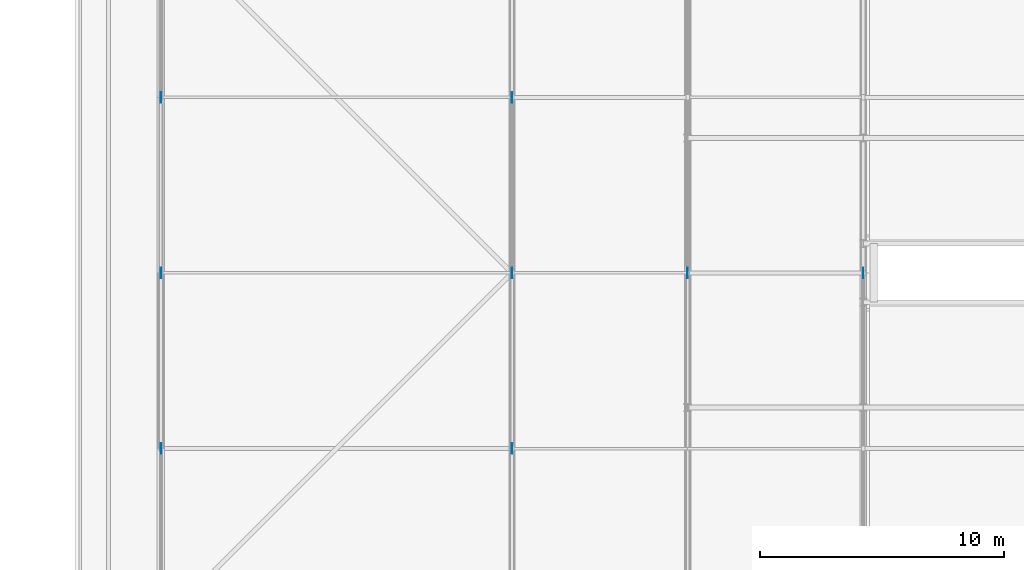
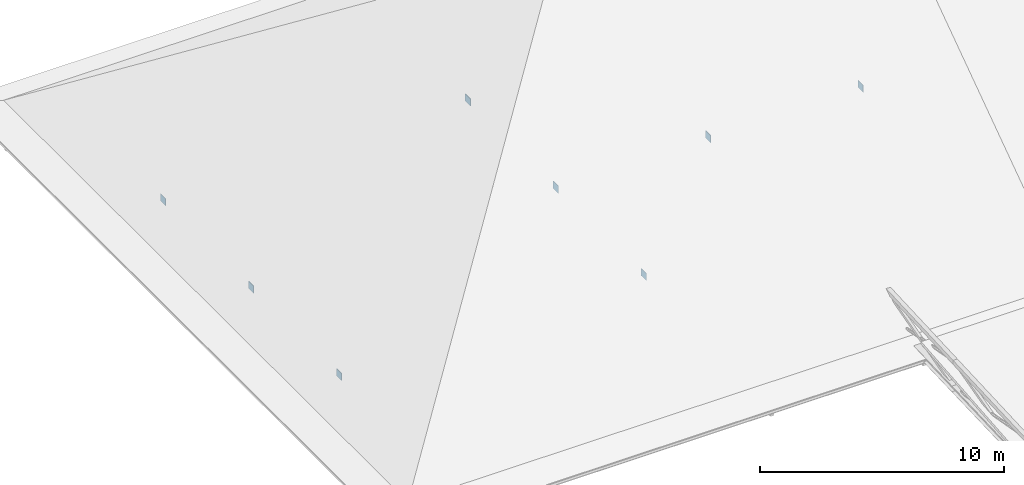
# One storey, part 59 of 100: 8 plates.
"""IFC4 building model written with IfcOpenShell, lengths in metres."""

from ifc_helpers import new_model, si_unit, direction, frame, origin, origin_2d, place, context, subcontext, project, spatial, rectangle, extrude, material, layer, layer_set, type_object, element, save


model = new_model("IFC4")

# Units and contexts
model_context = context("Model", 3, precision=1e-05, world=origin(), true_north=direction((0.0, 1.0)))
body_context = subcontext(model_context, "Body", "Model", "MODEL_VIEW")
ifc_project = project(units=[si_unit("LENGTHUNIT", "METRE"), si_unit("AREAUNIT", "SQUARE_METRE"), si_unit("VOLUMEUNIT", "CUBIC_METRE"), si_unit("PLANEANGLEUNIT", "RADIAN"), si_unit("MASSUNIT", "GRAM", prefix="KILO")], contexts=[model_context])

# Site, building, storey
site_placement = place(None, origin())
site = spatial("IfcSite", under=ifc_project, at=site_placement, CompositionType="ELEMENT")
building_placement = place(site_placement, origin())
building = spatial("IfcBuilding", under=site, at=building_placement, Name="Steenspoor Specialist Clinic", CompositionType="ELEMENT")
storey_placement = place(building_placement, frame((0.0, 0.0, 9.0)))
storey = spatial("IfcBuildingStorey", under=building, at=storey_placement, Name="L02", CompositionType="ELEMENT", Elevation=9.0)

# Plates
ifc_material = material(Name="Steel A572 Grade 50", Category="steel")
ifc_layer_1 = layer(ifc_material, 0.011962890625)
ifc_layer_set_1 = layer_set([ifc_layer_1], Name="Steel A572 Grade 50")
plate_type_1 = type_object("IfcPlateType", Name="PL-CAP-12", PredefinedType="SHEET", material=ifc_layer_set_1)
for number, where, z_axis, x_axis, name in (
    (1, (45.199951171875, 34.64990234375, 0.1513671875), (0.0, 0.0, 1.0), (1.0, 0.0, 0.0), "Truss Gusset Plate GP-12"),
    (2, (59.60009765625, 20.25, 0.1015625), (0.0, 0.0, 1.0), (1.0, 0.0, 0.0), "Truss Gusset Plate GP-12"),
):
    element("IfcPlate", number, at=place(storey_placement, frame(where, z_axis=z_axis, x_axis=x_axis)), inside=storey, type_object=plate_type_1, Name=name, PredefinedType="SHEET", context=body_context, shape_type="SweptSolid", body=[
        extrude(rectangle(XDim=0.011962890625, YDim=0.419921875, at=origin_2d()), origin(), (0.0, 0.0, 1.0), 0.360107421875),
    ])
ifc_layer_2 = layer(ifc_material, 0.01611328125)
ifc_layer_set_2 = layer_set([ifc_layer_2], Name="Steel A572 Grade 50")
plate_type_2 = type_object("IfcPlateType", Name="PL-GUS-16", PredefinedType="SHEET", material=ifc_layer_set_2)
plate_placement = place(storey_placement, frame((74.0, 27.449951171875, 0.1015625), z_axis=(0.0, 0.0, 1.0), x_axis=(1.0, 0.0, 0.0)))
element("IfcPlate", 3, at=plate_placement, inside=storey, type_object=plate_type_2, Name="Truss Gusset Plate GP-16", PredefinedType="SHEET", context=body_context, shape_type="SweptSolid", body=[
    extrude(rectangle(XDim=0.01611328125, YDim=0.419921875, at=origin_2d()), origin(), (0.0, 0.0, 1.0), 0.360107421875),
])
ifc_layer_3 = layer(ifc_material, 0.028076171875)
ifc_layer_set_3 = layer_set([ifc_layer_3], Name="Steel A572 Grade 50")
plate_type_3 = type_object("IfcPlateType", Name="PL-SHOE-28", PredefinedType="SHEET", material=ifc_layer_set_3)
for number, where, z_axis, x_axis, name in (
    (4, (45.199951171875, 27.449951171875, 0.1513671875), (0.0, 0.0, 1.0), (1.0, 0.0, 0.0), "Truss Gusset Plate GP-28"),
    (5, (59.60009765625, 34.64990234375, 0.1015625), (0.0, 0.0, 1.0), (1.0, 0.0, 0.0), "Truss Gusset Plate GP-28"),
    (6, (66.800048828125, 27.449951171875, 0.1015625), (0.0, 0.0, 1.0), (1.0, 0.0, 0.0), "Truss Gusset Plate GP-28"),
):
    element("IfcPlate", number, at=place(storey_placement, frame(where, z_axis=z_axis, x_axis=x_axis)), inside=storey, type_object=plate_type_3, Name=name, PredefinedType="SHEET", context=body_context, shape_type="SweptSolid", body=[
        extrude(rectangle(XDim=0.028076171875, YDim=0.419921875, at=origin_2d()), origin(), (0.0, 0.0, 1.0), 0.360107421875),
    ])
ifc_layer_4 = layer(ifc_material, 0.02001953125)
ifc_layer_set_4 = layer_set([ifc_layer_4], Name="Steel A572 Grade 50")
plate_type_4 = type_object("IfcPlateType", Name="PL-SPL-20", PredefinedType="SHEET", material=ifc_layer_set_4)
for number, where, z_axis, x_axis, name in (
    (7, (45.199951171875, 20.25, 0.1513671875), (0.0, 0.0, 1.0), (1.0, 0.0, 0.0), "Truss Gusset Plate GP-20"),
    (8, (59.60009765625, 27.449951171875, 0.1015625), (0.0, 0.0, 1.0), (1.0, 0.0, 0.0), "Truss Gusset Plate GP-20"),
):
    element("IfcPlate", number, at=place(storey_placement, frame(where, z_axis=z_axis, x_axis=x_axis)), inside=storey, type_object=plate_type_4, Name=name, PredefinedType="SHEET", context=body_context, shape_type="SweptSolid", body=[
        extrude(rectangle(XDim=0.02001953125, YDim=0.419921875, at=origin_2d()), origin(), (0.0, 0.0, 1.0), 0.360107421875),
    ])

save(model, "model.ifc")
